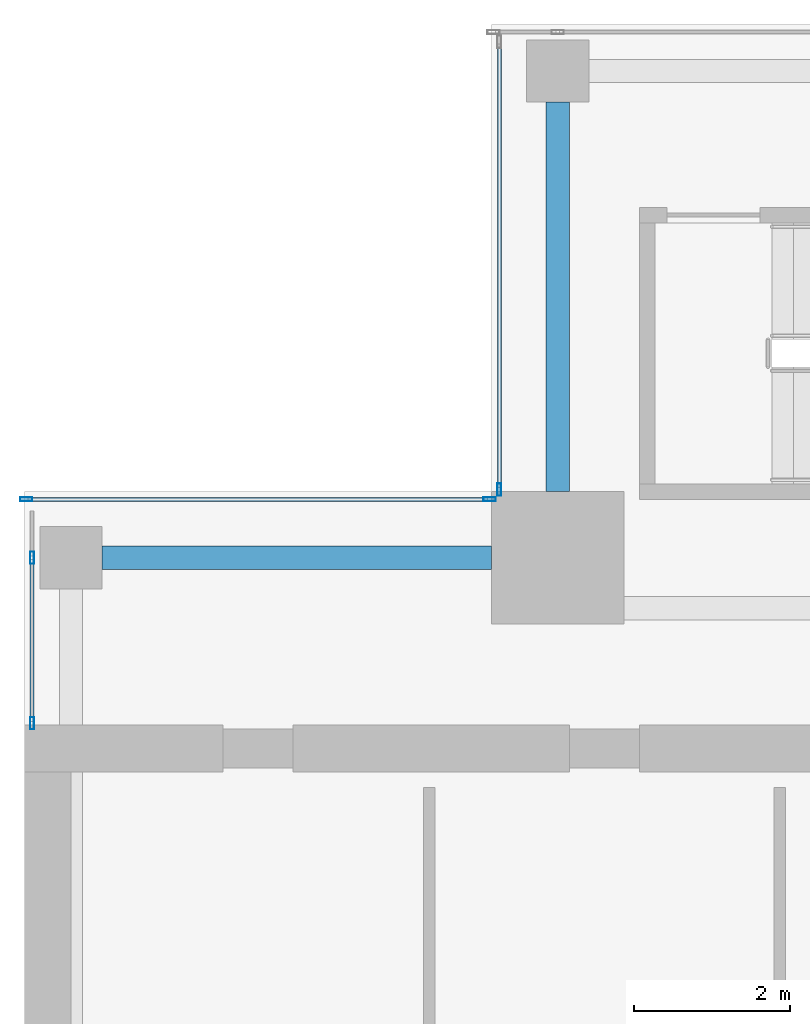
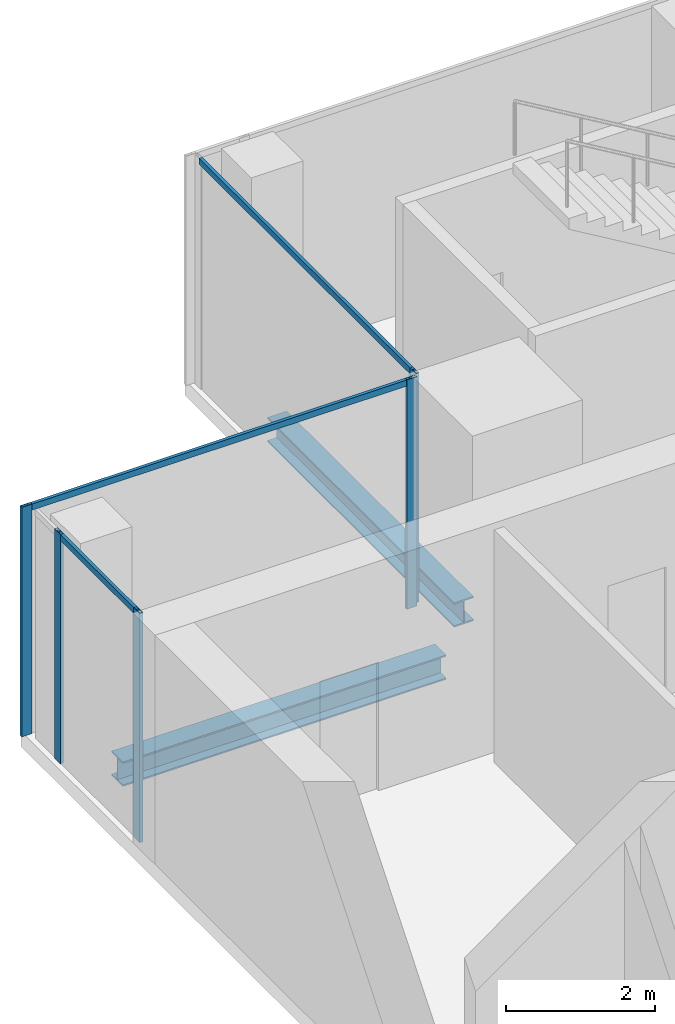
# One storey, part 13 of 29: 8 members, 2 beams, 3 elements without a shape of their own.
"""IFC4 building model written with IfcOpenShell, lengths in metres."""

from ifc_helpers import new_model, si_unit, direction, frame, origin, origin_2d, place, context, subcontext, project, spatial, hollow_rectangle, i_section, extrude, source, transform, mapped, material, material_profile, profile_set, type_object, element, aggregate, save


model = new_model("IFC4")

# Units and contexts
model_context = context("Model", 3, precision=1e-05, world=origin(), true_north=direction((0.0, 1.0)))
body_context = subcontext(model_context, "Body", "Model", "MODEL_VIEW")
ifc_project = project(units=[si_unit("LENGTHUNIT", "METRE"), si_unit("AREAUNIT", "SQUARE_METRE"), si_unit("VOLUMEUNIT", "CUBIC_METRE"), si_unit("PLANEANGLEUNIT", "RADIAN"), si_unit("MASSUNIT", "GRAM", prefix="KILO")], contexts=[model_context])

# Site, building, storey
site_placement = place(None, origin())
site = spatial("IfcSite", under=ifc_project, at=site_placement, CompositionType="ELEMENT")
building_placement = place(site_placement, origin())
building = spatial("IfcBuilding", under=site, at=building_placement, Name="Khomas Fold Tower", CompositionType="ELEMENT")
storey_placement = place(building_placement, frame((0.0, 0.0, 290.199951171875)))
storey = spatial("IfcBuildingStorey", under=building, at=storey_placement, Name="L65", CompositionType="ELEMENT", Elevation=290.199951171875)

# Beams
ifc_material_1 = material(Name="Steel S355", Category="steel")
ifc_material_profile_1 = material_profile(ifc_material_1, i_section(OverallWidth=0.300048828125, OverallDepth=0.39990234375, WebThickness=0.013427734375, FlangeThickness=0.02392578125, at=origin_2d()), Name="HE 400 B")
ifc_profile_set_1 = profile_set([ifc_material_profile_1], Name="Steel S355")
beam_type = type_object("IfcBeamType", Name="HE 400 B spandrel SB5", PredefinedType="SPANDREL", material=ifc_profile_set_1)
shared_shape_1 = source(origin(), body_context, "Body", "SweptSolid", [
    extrude(i_section(OverallWidth=0.300048828125, OverallDepth=0.39990234375, WebThickness=0.013427734375, FlangeThickness=0.02392578125, at=origin_2d()), origin(), (0.0, 0.0, 1.0), 5.0),
])
for number, where, z_axis, x_axis, name in (
    (1, (12.85009765625, 42.0, -0.449951171875), (0.0, 1.0, 0.0), (-1.0, 0.0, 0.0), "SB5"),
    (2, (7.0, 41.14990234375, -0.449951171875), (1.0, 0.0, 0.0), (0.0, 1.0, 0.0), "SB5"),
):
    element("IfcBeam", number, at=place(storey_placement, frame(where, z_axis=z_axis, x_axis=x_axis)), inside=storey, type_object=beam_type, Name=name, PredefinedType="SPANDREL", context=body_context, shape_type="MappedRepresentation", body=[
        mapped(shared_shape_1, transform((0.0, 0.0, 0.0))),
    ])

# Curtain wall, member
ifc_material_2 = material(Name="Aluminium framed double glazing", Category="aluminium")
curtain_wall_type = type_object("IfcCurtainWallType", Name="SK-Unitised clear-glass wall, upper floors CW3", PredefinedType="NOTDEFINED", material=ifc_material_2)
curtain_wall_1_placement = place(storey_placement, origin())
curtain_wall_1 = element("IfcCurtainWall", 3, at=curtain_wall_1_placement, inside=storey, type_object=curtain_wall_type, Name="CW3 corner return L65 07", PredefinedType="NOTDEFINED")
ifc_material_3 = material(Name="Aluminium", Category="aluminium")
ifc_material_profile_2 = material_profile(ifc_material_3, hollow_rectangle(XDim=0.050048828125, YDim=0.159912109375, WallThickness=0.00390625, at=origin_2d()), Name="SK-Unitised clear-glass wall, upper floors mullion CW3-M")
ifc_profile_set_2 = profile_set([ifc_material_profile_2], Name="Aluminium")
member_type_1 = type_object("IfcMemberType", Name="SK-Unitised clear-glass wall, upper floors mullion CW3-M", PredefinedType="MULLION", material=ifc_profile_set_2)
shared_shape_2 = source(origin(), body_context, "Body", "SweptSolid", [
    extrude(hollow_rectangle(XDim=0.050048828125, YDim=0.159912109375, WallThickness=0.00390625, at=origin_2d()), origin(), (0.0, 0.0, 1.0), 3.75),
])
member_1_placement = place(storey_placement, frame((12.10009765625, 42.02490234375, 0.0), z_axis=(0.0, 0.0, 1.0), x_axis=(1.0, 0.0, 0.0)))
member_1 = element("IfcMember", 4, at=member_1_placement, type_object=member_type_1, Name="CW3 mullion 2", PredefinedType="MULLION", context=body_context, shape_type="MappedRepresentation", body=[
    mapped(shared_shape_2, transform((0.0, 0.0, 0.0))),
])

# Curtain wall, members
curtain_wall_2_placement = place(storey_placement, origin())
curtain_wall_2 = element("IfcCurtainWall", 5, at=curtain_wall_2_placement, inside=storey, type_object=curtain_wall_type, Name="CW3 corner return L65 08", PredefinedType="NOTDEFINED")
member_2_placement = place(storey_placement, frame((11.97509765625, 41.89990234375, 0.0), z_axis=(0.0, 0.0, 1.0), x_axis=(0.0, -1.0, 0.0)))
member_2 = element("IfcMember", 6, at=member_2_placement, type_object=member_type_1, Name="CW3 mullion 1", PredefinedType="MULLION", context=body_context, shape_type="MappedRepresentation", body=[
    mapped(shared_shape_2, transform((0.0, 0.0, 0.0))),
])
member_3_placement = place(storey_placement, frame((6.02490234375, 41.89990234375, 0.0), z_axis=(0.0, 0.0, 1.0), x_axis=(0.0, -1.0, 0.0)))
member_3 = element("IfcMember", 7, at=member_3_placement, type_object=member_type_1, Name="CW3 mullion 2", PredefinedType="MULLION", context=body_context, shape_type="MappedRepresentation", body=[
    mapped(shared_shape_2, transform((0.0, 0.0, 0.0))),
])

curtain_wall_3_placement = place(storey_placement, origin())
curtain_wall_3 = element("IfcCurtainWall", 8, at=curtain_wall_3_placement, inside=storey, type_object=curtain_wall_type, Name="CW3 run L65 09-0", PredefinedType="NOTDEFINED")
member_4_placement = place(storey_placement, frame((6.10009765625, 41.14990234375, 0.0), z_axis=(0.0, 0.0, 1.0), x_axis=(1.0, 0.0, 0.0)))
member_4 = element("IfcMember", 9, at=member_4_placement, type_object=member_type_1, Name="CW3 mullion 2", PredefinedType="MULLION", context=body_context, shape_type="MappedRepresentation", body=[
    mapped(shared_shape_2, transform((0.0, 0.0, 0.0))),
])
member_5_placement = place(storey_placement, frame((6.10009765625, 39.02490234375, 0.0), z_axis=(0.0, 0.0, 1.0), x_axis=(1.0, 0.0, 0.0)))
member_5 = element("IfcMember", 10, at=member_5_placement, type_object=member_type_1, Name="CW3 mullion 3", PredefinedType="MULLION", context=body_context, shape_type="MappedRepresentation", body=[
    mapped(shared_shape_2, transform((0.0, 0.0, 0.0))),
])

# Member
ifc_material_4 = material(Name="Aluminium", Category="aluminium")
ifc_material_profile_3 = material_profile(ifc_material_4, hollow_rectangle(XDim=0.050048828125, YDim=0.10009765625, WallThickness=0.00390625, at=origin_2d()), Name="SK-Unitised clear-glass wall, upper floors transom CW3-T")
ifc_profile_set_3 = profile_set([ifc_material_profile_3], Name="Aluminium")
member_type_2 = type_object("IfcMemberType", Name="SK-Unitised clear-glass wall, upper floors transom CW3-T", PredefinedType="USERDEFINED", material=ifc_profile_set_3)
shared_shape_3 = source(origin(), body_context, "Body", "SweptSolid", [
    extrude(hollow_rectangle(XDim=0.050048828125, YDim=0.10009765625, WallThickness=0.00390625, at=origin_2d()), origin(), (0.0, 0.0, 1.0), 5.699951171875),
])
member_6_placement = place(storey_placement, frame((12.10009765625, 47.75, 3.699951171875), z_axis=(0.0, -1.0, 0.0), x_axis=(1.0, 0.0, 0.0)))
member_6 = element("IfcMember", 11, at=member_6_placement, type_object=member_type_2, Name="CW3 transom 1", ObjectType="TRANSOM", PredefinedType="USERDEFINED", context=body_context, shape_type="MappedRepresentation", body=[
    mapped(shared_shape_3, transform((0.0, 0.0, 0.0))),
])

aggregate(curtain_wall_1, [member_1, member_6])

shared_shape_4 = source(origin(), body_context, "Body", "SweptSolid", [
    extrude(hollow_rectangle(XDim=0.050048828125, YDim=0.10009765625, WallThickness=0.00390625, at=origin_2d()), origin(), (0.0, 0.0, 1.0), 5.89990234375),
])
member_7_placement = place(storey_placement, frame((11.949951171875, 41.89990234375, 3.699951171875), z_axis=(-1.0, 0.0, 0.0), x_axis=(0.0, -1.0, 0.0)))
member_7 = element("IfcMember", 12, at=member_7_placement, type_object=member_type_2, Name="CW3 transom 1", ObjectType="TRANSOM", PredefinedType="USERDEFINED", context=body_context, shape_type="MappedRepresentation", body=[
    mapped(shared_shape_4, transform((0.0, 0.0, 0.0))),
])

aggregate(curtain_wall_2, [member_2, member_3, member_7])

shared_shape_5 = source(origin(), body_context, "Body", "SweptSolid", [
    extrude(hollow_rectangle(XDim=0.050048828125, YDim=0.10009765625, WallThickness=0.00390625, at=origin_2d()), origin(), (0.0, 0.0, 1.0), 2.074951171875),
])
member_8_placement = place(storey_placement, frame((6.10009765625, 41.125, 3.699951171875), z_axis=(0.0, -1.0, 0.0), x_axis=(1.0, 0.0, 0.0)))
member_8 = element("IfcMember", 13, at=member_8_placement, type_object=member_type_2, Name="CW3 transom 2", ObjectType="TRANSOM", PredefinedType="USERDEFINED", context=body_context, shape_type="MappedRepresentation", body=[
    mapped(shared_shape_5, transform((0.0, 0.0, 0.0))),
])

aggregate(curtain_wall_3, [member_4, member_5, member_8])

save(model, "model.ifc")
